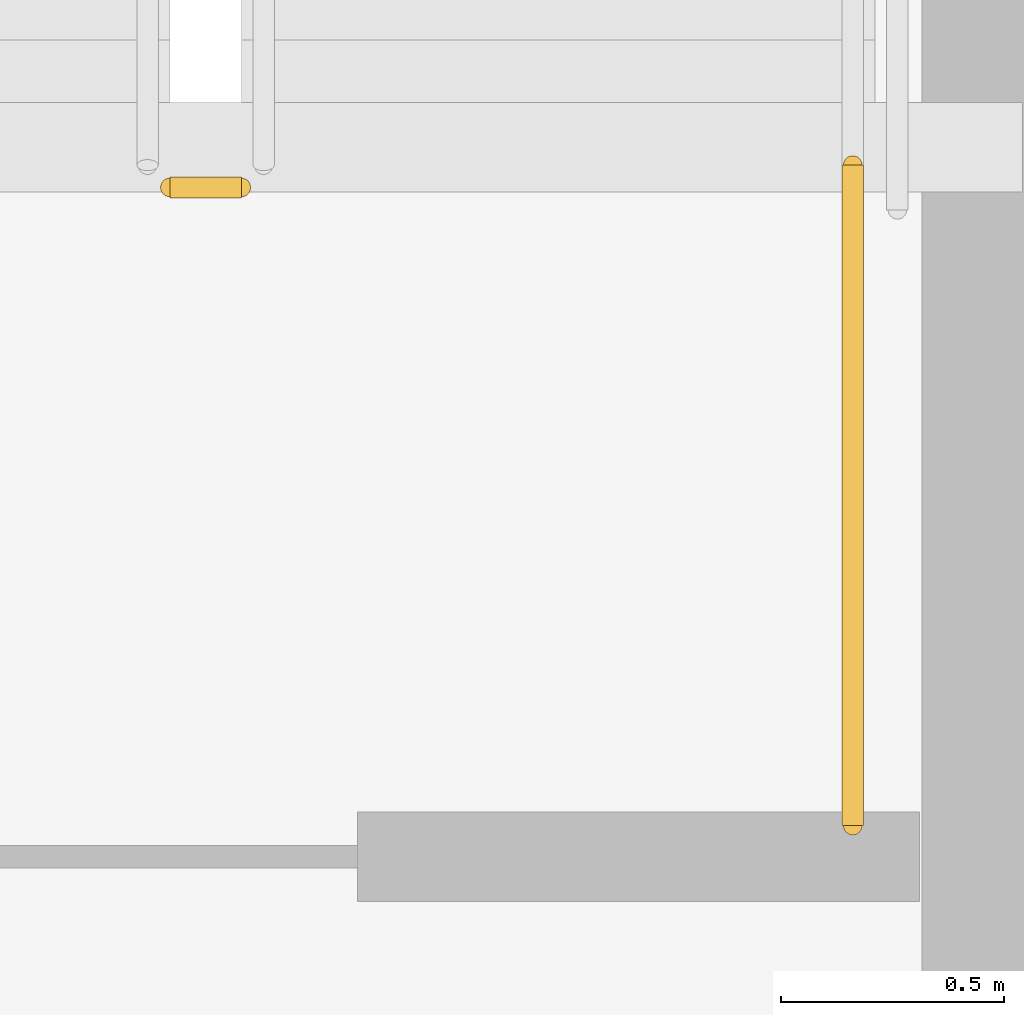
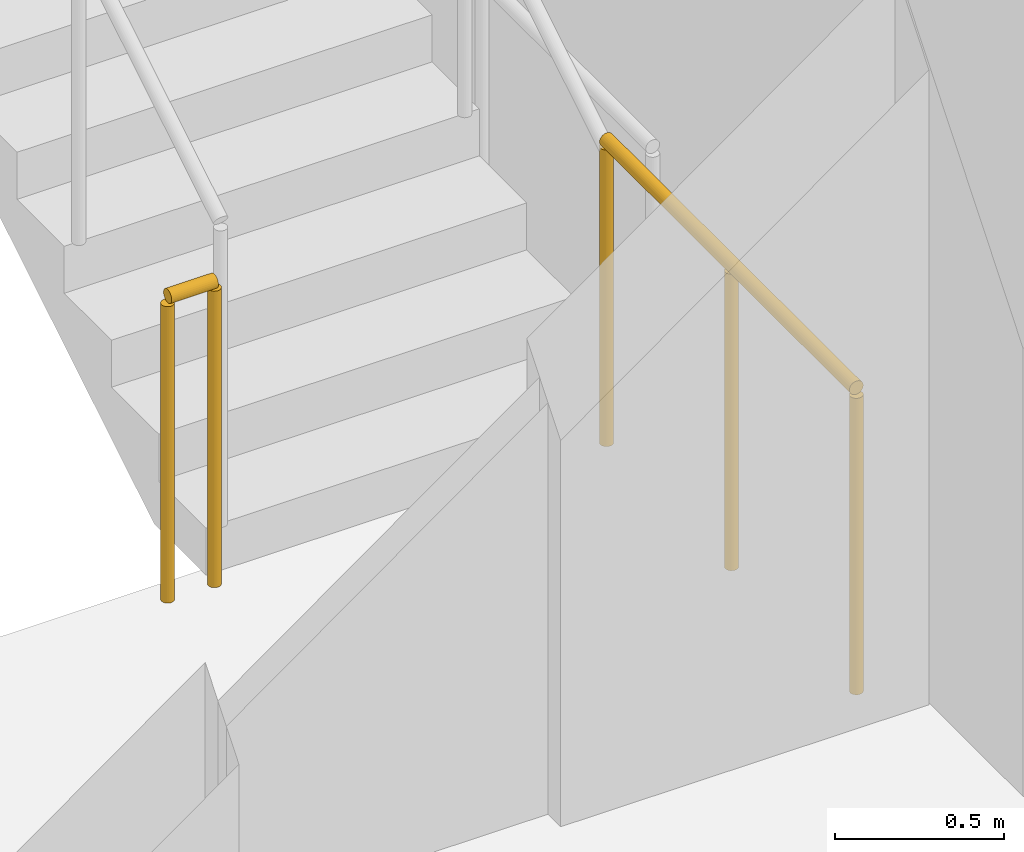
# One storey, part 29 of 33: 2 railings.
"""IFC4 building model written with IfcOpenShell, lengths in metres."""

from ifc_helpers import new_model, si_unit, direction, frame, origin, origin_2d, place, context, subcontext, project, spatial, circle, extrude, material, layer, layer_set, type_object, element, save


model = new_model("IFC4")

# Units and contexts
model_context = context("Model", 3, precision=1e-05, world=origin(), true_north=direction((0.0, 1.0)))
body_context = subcontext(model_context, "Body", "Model", "MODEL_VIEW")
ifc_project = project(units=[si_unit("LENGTHUNIT", "METRE"), si_unit("AREAUNIT", "SQUARE_METRE"), si_unit("VOLUMEUNIT", "CUBIC_METRE"), si_unit("PLANEANGLEUNIT", "RADIAN"), si_unit("MASSUNIT", "GRAM", prefix="KILO")], contexts=[model_context])

# Site, building, storey
site_placement = place(None, origin())
site = spatial("IfcSite", under=ifc_project, at=site_placement, CompositionType="ELEMENT")
building_placement = place(site_placement, origin())
building = spatial("IfcBuilding", under=site, at=building_placement, Name="Yelkora Congress Tower", CompositionType="ELEMENT")
storey_placement = place(building_placement, frame((0.0, 0.0, 110.10009765625)))
storey = spatial("IfcBuildingStorey", under=building, at=storey_placement, Name="L29", CompositionType="ELEMENT", Elevation=110.10009765625)

# Railings
ifc_material = material(Name="Painted galvanised steel stair well guard with vertical infill", Category="steel")
ifc_layer = layer(ifc_material, 0.06005859375)
ifc_layer_set = layer_set([ifc_layer], Name="Painted galvanised steel stair well guard with vertical infill")
railing_type = type_object("IfcRailingType", Name="RAIL-STAIR-GUARD-1120", PredefinedType="GUARDRAIL", material=ifc_layer_set)
railing_1_placement = place(storey_placement, frame((25.39990234375, 39.550048828125, 0.0)))
element("IfcRailing", 1, at=railing_1_placement, inside=storey, type_object=railing_type, Name="ST-01 L29 Stair Well Guardrail 7", PredefinedType="GUARDRAIL", context=body_context, shape_type="SweptSolid", body=[
    extrude(circle(Radius=0.02392578125, at=origin_2d()), frame((0.0, 0.0, 1.09619140625), z_axis=(-1.0, 0.0, 0.0), x_axis=(0.0, -1.0, 0.0)), (0.0, 0.0, 1.0), 0.159912109375),
    extrude(circle(Radius=0.02099609375, at=origin_2d()), origin(), (0.0, 0.0, 1.0), 1.072021484375),
    extrude(circle(Radius=0.02099609375, at=origin_2d()), frame((-0.159912109375, 0.0, 0.0)), (0.0, 0.0, 1.0), 1.072021484375),
])
railing_2_placement = place(storey_placement, frame((26.77001953125, 38.1201171875, 0.0)))
element("IfcRailing", 2, at=railing_2_placement, inside=storey, type_object=railing_type, Name="ST-01 L29 Stair Well Guardrail 8", PredefinedType="GUARDRAIL", context=body_context, shape_type="SweptSolid", body=[
    extrude(circle(Radius=0.02392578125, at=origin_2d()), frame((0.0, 0.0, 1.09619140625), z_axis=(0.0, 1.0, 0.0), x_axis=(-1.0, 0.0, 0.0)), (0.0, 0.0, 1.0), 1.47998046875),
    extrude(circle(Radius=0.02099609375, at=origin_2d()), origin(), (0.0, 0.0, 1.0), 1.072021484375),
    extrude(circle(Radius=0.02099609375, at=origin_2d()), frame((0.0, 0.739990234375, 0.0)), (0.0, 0.0, 1.0), 1.072021484375),
    extrude(circle(Radius=0.02099609375, at=origin_2d()), frame((0.0, 1.47998046875, 0.0)), (0.0, 0.0, 1.0), 1.072021484375),
])

save(model, "model.ifc")
